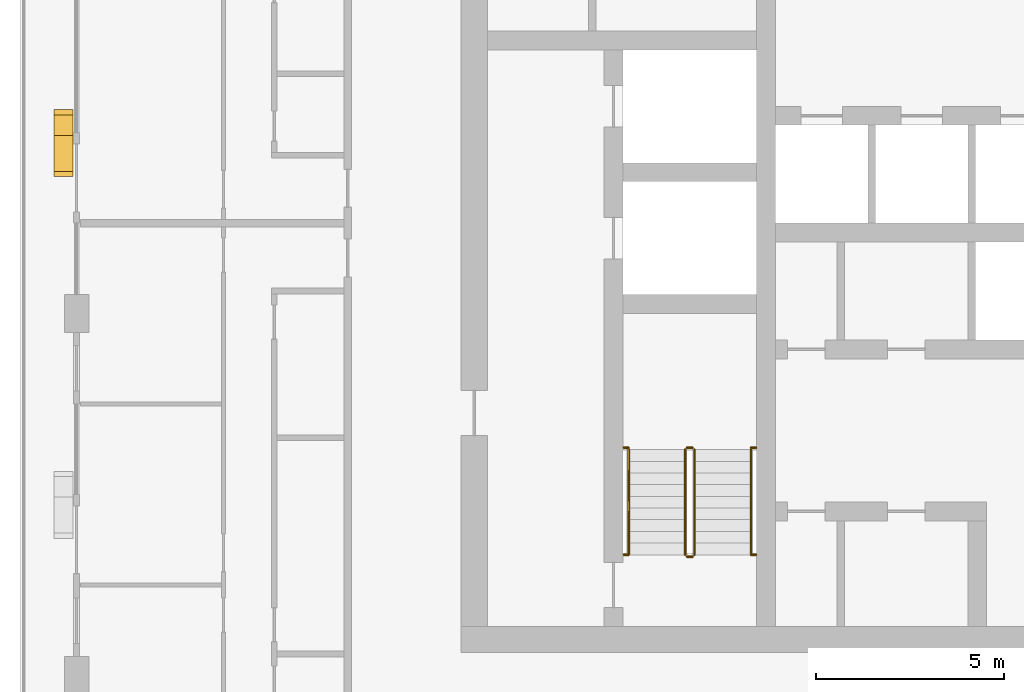
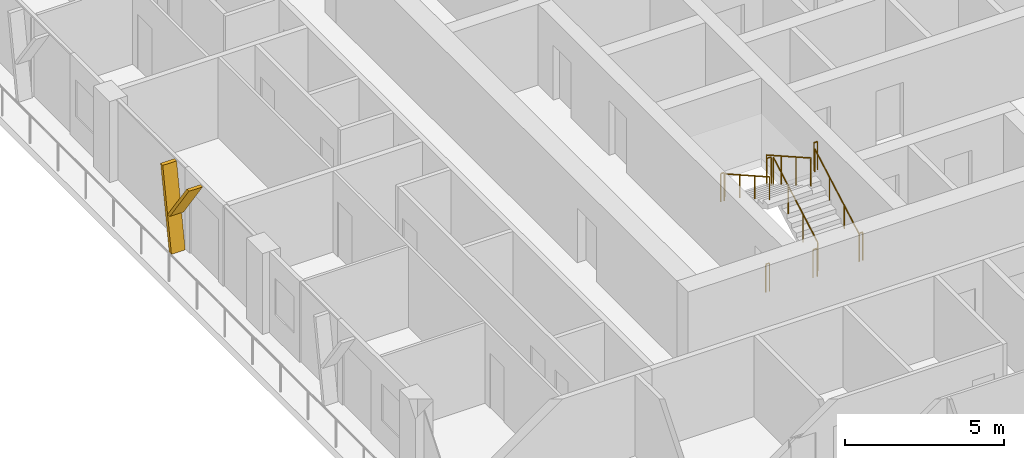
# One storey, part 18 of 22: 10 railings, 2 shading devices.
"""IFC4 building model written with IfcOpenShell, lengths in metres."""

from ifc_helpers import new_model, si_unit, direction, frame, origin, origin_2d, place, context, subcontext, project, spatial, polyline, circle, outline, extrude, material, type_object, element, save


model = new_model("IFC4")

# Units and contexts
model_context = context("Model", 3, precision=1e-05, world=origin(), true_north=direction((0.0, 1.0)))
body_context = subcontext(model_context, "Body", "Model", "MODEL_VIEW")
ifc_project = project(units=[si_unit("LENGTHUNIT", "METRE"), si_unit("AREAUNIT", "SQUARE_METRE"), si_unit("VOLUMEUNIT", "CUBIC_METRE"), si_unit("PLANEANGLEUNIT", "RADIAN"), si_unit("MASSUNIT", "GRAM", prefix="KILO")], contexts=[model_context])

# Site, building, storey
site_placement = place(None, origin())
site = spatial("IfcSite", under=ifc_project, at=site_placement, CompositionType="ELEMENT")
building_placement = place(site_placement, origin())
building = spatial("IfcBuilding", under=site, at=building_placement, Name="Madar Terraces", CompositionType="ELEMENT")
storey_placement = place(building_placement, frame((0.0, 0.0, 199.89990234375)))
storey = spatial("IfcBuildingStorey", under=building, at=storey_placement, Name="L52", CompositionType="ELEMENT", Elevation=199.89990234375)

# Shading devices
ifc_material_1 = material(Name="Aluminium, black anodised", Category="aluminium")
shading_device_type = type_object("IfcShadingDeviceType", Name="Facade fin blade 140 x 500", PredefinedType="USERDEFINED", material=ifc_material_1)
shading_device_1_placement = place(storey_placement, frame((4.449951171875, 28.8701171875, 0.0), z_axis=(0.0, 0.0, 1.0), x_axis=(0.0, -1.0, 0.0)))
element("IfcShadingDevice", 1, at=shading_device_1_placement, inside=storey, type_object=shading_device_type, Name="FIN L52 W2", ObjectType="FIN", PredefinedType="USERDEFINED", context=body_context, shape_type="SweptSolid", body=[
    extrude(outline(polyline([(0.0, 0.0), (0.14013671875, 0.0), (-0.403076171875, 3.080078125), (-0.54296875, 3.080078125), (0.0, 0.0)])), frame((0.0, 0.25, 0.0), z_axis=(0.0, -1.0, 0.0), x_axis=(1.0, 0.0, 0.0)), (0.0, 0.0, 1.0), 0.5),
])
shading_device_2_placement = place(storey_placement, frame((4.449951171875, 28.974365234375, 1.385986328125), z_axis=(0.0, 0.0, 1.0), x_axis=(0.0, -1.0, 0.0)))
element("IfcShadingDevice", 2, at=shading_device_2_placement, inside=storey, type_object=shading_device_type, Name="FIN L52 W2 branch", ObjectType="FIN", PredefinedType="USERDEFINED", context=body_context, shape_type="SweptSolid", body=[
    extrude(outline(polyline([(0.0, 0.0), (0.139892578125, 0.0), (1.34130859375, 1.694091796875), (1.201416015625, 1.694091796875), (0.0, 0.0)])), frame((0.0, 0.25, 0.0), z_axis=(0.0, -1.0, 0.0), x_axis=(1.0, 0.0, 0.0)), (0.0, 0.0, 1.0), 0.5),
])

# Railings
ifc_material_2 = material(Name="Stainless steel railing", Category="steel")
railing_type_1 = type_object("IfcRailingType", Name="Stair guard 1100", PredefinedType="GUARDRAIL", material=ifc_material_2)
railing_1_placement = place(storey_placement, frame((21.199951171875, 17.60009765625, 0.175048828125)))
element("IfcRailing", 3, at=railing_1_placement, inside=storey, type_object=railing_type_1, Name="L52 ST1 stair guard 1", PredefinedType="GUARDRAIL", context=body_context, shape_type="SweptSolid", body=[
    extrude(circle(Radius=0.02392578125, at=origin_2d()), frame((0.0, 0.0, 1.076171875), z_axis=(0.0, 0.870815363784, 0.491610213684), x_axis=(-1.0, 0.0, 0.0)), (0.0, 0.0, 1.0), 3.20361328125),
    extrude(circle(Radius=0.02099609375, at=origin_2d()), origin(), (0.0, 0.0, 1.0), 1.052001953125),
    extrude(circle(Radius=0.02099609375, at=origin_2d()), frame((0.0, 0.929931640625, 0.52490234375)), (0.0, 0.0, 1.0), 1.052001953125),
    extrude(circle(Radius=0.02099609375, at=origin_2d()), frame((0.0, 1.85986328125, 1.050048828125)), (0.0, 0.0, 1.0), 1.052001953125),
    extrude(circle(Radius=0.02099609375, at=origin_2d()), frame((0.0, 2.789794921875, 1.574951171875)), (0.0, 0.0, 1.0), 1.052001953125),
])
railing_2_placement = place(storey_placement, frame((21.14990234375, 20.43994140625, 1.75)))
element("IfcRailing", 4, at=railing_2_placement, inside=storey, type_object=railing_type_1, Name="L52 ST1 stair guard 2", PredefinedType="GUARDRAIL", context=body_context, shape_type="SweptSolid", body=[
    extrude(circle(Radius=0.02392578125, at=origin_2d()), frame((0.0, 0.0, 1.076171875), z_axis=(-1.0, 0.0, 0.0), x_axis=(0.0, -1.0, 0.0)), (0.0, 0.0, 1.0), 0.14990234375),
    extrude(circle(Radius=0.02099609375, at=origin_2d()), origin(), (0.0, 0.0, 1.0), 1.052001953125),
    extrude(circle(Radius=0.02099609375, at=origin_2d()), frame((-0.14990234375, 0.0, 0.0)), (0.0, 0.0, 1.0), 1.052001953125),
])
railing_3_placement = place(storey_placement, frame((20.949951171875, 20.389892578125, 1.925048828125)))
element("IfcRailing", 5, at=railing_3_placement, inside=storey, type_object=railing_type_1, Name="L52 ST1 stair guard 3", PredefinedType="GUARDRAIL", context=body_context, shape_type="SweptSolid", body=[
    extrude(circle(Radius=0.02392578125, at=origin_2d()), frame((0.0, 0.0, 1.076171875), z_axis=(0.0, -0.870815363784, 0.491610213684), x_axis=(1.0, 0.0, 0.0)), (0.0, 0.0, 1.0), 3.20361328125),
    extrude(circle(Radius=0.02099609375, at=origin_2d()), origin(), (0.0, 0.0, 1.0), 1.052001953125),
    extrude(circle(Radius=0.02099609375, at=origin_2d()), frame((0.0, -0.929931640625, 0.52490234375)), (0.0, 0.0, 1.0), 1.052001953125),
    extrude(circle(Radius=0.02099609375, at=origin_2d()), frame((0.0, -1.85986328125, 1.050048828125)), (0.0, 0.0, 1.0), 1.052001953125),
    extrude(circle(Radius=0.02099609375, at=origin_2d()), frame((0.0, -2.789794921875, 1.574951171875)), (0.0, 0.0, 1.0), 1.052001953125),
])
railing_4_placement = place(storey_placement, frame((21.14990234375, 17.550048828125, 0.0)))
element("IfcRailing", 6, at=railing_4_placement, inside=storey, type_object=railing_type_1, Name="L52 ST1 stair guard 4", PredefinedType="GUARDRAIL", context=body_context, shape_type="SweptSolid", body=[
    extrude(circle(Radius=0.02392578125, at=origin_2d()), frame((0.0, 0.0, 1.076171875), z_axis=(-1.0, 0.0, 0.0), x_axis=(0.0, -1.0, 0.0)), (0.0, 0.0, 1.0), 0.14990234375),
    extrude(circle(Radius=0.02099609375, at=origin_2d()), origin(), (0.0, 0.0, 1.0), 1.052001953125),
    extrude(circle(Radius=0.02099609375, at=origin_2d()), frame((-0.14990234375, 0.0, 0.0)), (0.0, 0.0, 1.0), 1.052001953125),
])
railing_5_placement = place(storey_placement, frame((19.320068359375, 20.43994140625, 1.75)))
element("IfcRailing", 7, at=railing_5_placement, inside=storey, type_object=railing_type_1, Name="L52 stair guard seat 1", PredefinedType="GUARDRAIL", context=body_context, shape_type="SweptSolid", body=[
    extrude(circle(Radius=0.02392578125, at=origin_2d()), frame((0.0, 0.0, 1.076171875), z_axis=(1.0, 0.0, 0.0), x_axis=(0.0, 1.0, 0.0)), (0.0, 0.0, 1.0), 0.1298828125),
    extrude(circle(Radius=0.02099609375, at=origin_2d()), origin(), (0.0, 0.0, 1.0), 1.052001953125),
    extrude(circle(Radius=0.02099609375, at=origin_2d()), frame((0.1298828125, 0.0, 0.0)), (0.0, 0.0, 1.0), 1.052001953125),
])
railing_6_placement = place(storey_placement, frame((22.699951171875, 20.43994140625, 1.75)))
element("IfcRailing", 8, at=railing_6_placement, inside=storey, type_object=railing_type_1, Name="L52 stair guard seat 2", PredefinedType="GUARDRAIL", context=body_context, shape_type="SweptSolid", body=[
    extrude(circle(Radius=0.02392578125, at=origin_2d()), frame((0.0, 0.0, 1.076171875), z_axis=(1.0, 0.0, 0.0), x_axis=(0.0, 1.0, 0.0)), (0.0, 0.0, 1.0), 0.130126953125),
    extrude(circle(Radius=0.02099609375, at=origin_2d()), origin(), (0.0, 0.0, 1.0), 1.052001953125),
    extrude(circle(Radius=0.02099609375, at=origin_2d()), frame((0.130126953125, 0.0, 0.0)), (0.0, 0.0, 1.0), 1.052001953125),
])
railing_7_placement = place(storey_placement, frame((19.320068359375, 17.60009765625, 0.0)))
element("IfcRailing", 9, at=railing_7_placement, inside=storey, type_object=railing_type_1, Name="L52 stair guard floor 1", PredefinedType="GUARDRAIL", context=body_context, shape_type="SweptSolid", body=[
    extrude(circle(Radius=0.02392578125, at=origin_2d()), frame((0.0, 0.0, 1.076171875), z_axis=(1.0, 0.0, 0.0), x_axis=(0.0, 1.0, 0.0)), (0.0, 0.0, 1.0), 0.1298828125),
    extrude(circle(Radius=0.02099609375, at=origin_2d()), origin(), (0.0, 0.0, 1.0), 1.052001953125),
    extrude(circle(Radius=0.02099609375, at=origin_2d()), frame((0.1298828125, 0.0, 0.0)), (0.0, 0.0, 1.0), 1.052001953125),
])
railing_8_placement = place(storey_placement, frame((22.699951171875, 17.60009765625, 0.0)))
element("IfcRailing", 10, at=railing_8_placement, inside=storey, type_object=railing_type_1, Name="L52 stair guard floor 2", PredefinedType="GUARDRAIL", context=body_context, shape_type="SweptSolid", body=[
    extrude(circle(Radius=0.02392578125, at=origin_2d()), frame((0.0, 0.0, 1.076171875), z_axis=(1.0, 0.0, 0.0), x_axis=(0.0, 1.0, 0.0)), (0.0, 0.0, 1.0), 0.130126953125),
    extrude(circle(Radius=0.02099609375, at=origin_2d()), origin(), (0.0, 0.0, 1.0), 1.052001953125),
    extrude(circle(Radius=0.02099609375, at=origin_2d()), frame((0.130126953125, 0.0, 0.0)), (0.0, 0.0, 1.0), 1.052001953125),
])
ifc_material_3 = material(Name="Stainless steel railing", Category="steel")
railing_type_2 = type_object("IfcRailingType", Name="Stair handrail 900", PredefinedType="HANDRAIL", material=ifc_material_3)
railing_9_placement = place(storey_placement, frame((22.699951171875, 17.60009765625, 0.175048828125)))
element("IfcRailing", 11, at=railing_9_placement, inside=storey, type_object=railing_type_2, Name="L52 ST1 stair handrail 1", PredefinedType="HANDRAIL", context=body_context, shape_type="SweptSolid", body=[
    extrude(circle(Radius=0.02392578125, at=origin_2d()), frame((0.0, 0.0, 0.8759765625), z_axis=(0.0, 0.870815363784, 0.491610213684), x_axis=(-1.0, 0.0, 0.0)), (0.0, 0.0, 1.0), 3.20361328125),
    extrude(circle(Radius=0.02099609375, at=origin_2d()), origin(), (0.0, 0.0, 1.0), 0.851806640625),
    extrude(circle(Radius=0.02099609375, at=origin_2d()), frame((0.0, 0.929931640625, 0.52490234375)), (0.0, 0.0, 1.0), 0.851806640625),
    extrude(circle(Radius=0.02099609375, at=origin_2d()), frame((0.0, 1.85986328125, 1.050048828125)), (0.0, 0.0, 1.0), 0.851806640625),
    extrude(circle(Radius=0.02099609375, at=origin_2d()), frame((0.0, 2.789794921875, 1.574951171875)), (0.0, 0.0, 1.0), 0.851806640625),
])
railing_10_placement = place(storey_placement, frame((19.449951171875, 20.389892578125, 1.925048828125)))
element("IfcRailing", 12, at=railing_10_placement, inside=storey, type_object=railing_type_2, Name="L52 ST1 stair handrail 2", PredefinedType="HANDRAIL", context=body_context, shape_type="SweptSolid", body=[
    extrude(circle(Radius=0.02392578125, at=origin_2d()), frame((0.0, 0.0, 0.8759765625), z_axis=(0.0, -0.870815363784, 0.491610213684), x_axis=(1.0, 0.0, 0.0)), (0.0, 0.0, 1.0), 3.20361328125),
    extrude(circle(Radius=0.02099609375, at=origin_2d()), origin(), (0.0, 0.0, 1.0), 0.851806640625),
    extrude(circle(Radius=0.02099609375, at=origin_2d()), frame((0.0, -0.929931640625, 0.52490234375)), (0.0, 0.0, 1.0), 0.851806640625),
    extrude(circle(Radius=0.02099609375, at=origin_2d()), frame((0.0, -1.85986328125, 1.050048828125)), (0.0, 0.0, 1.0), 0.851806640625),
    extrude(circle(Radius=0.02099609375, at=origin_2d()), frame((0.0, -2.789794921875, 1.574951171875)), (0.0, 0.0, 1.0), 0.851806640625),
])

save(model, "model.ifc")
